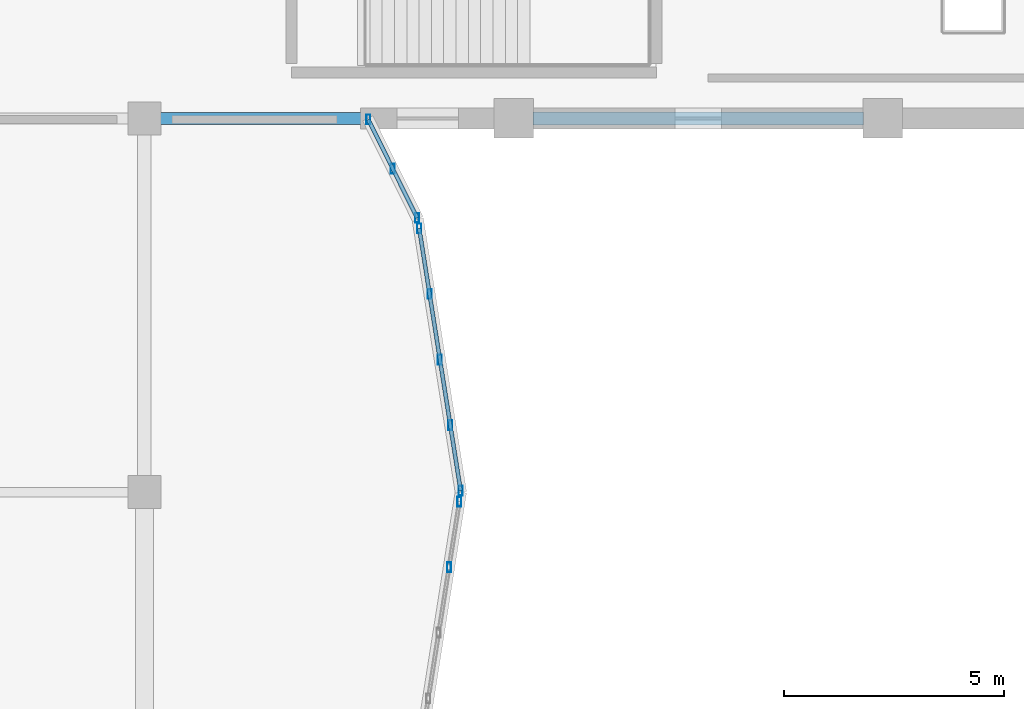
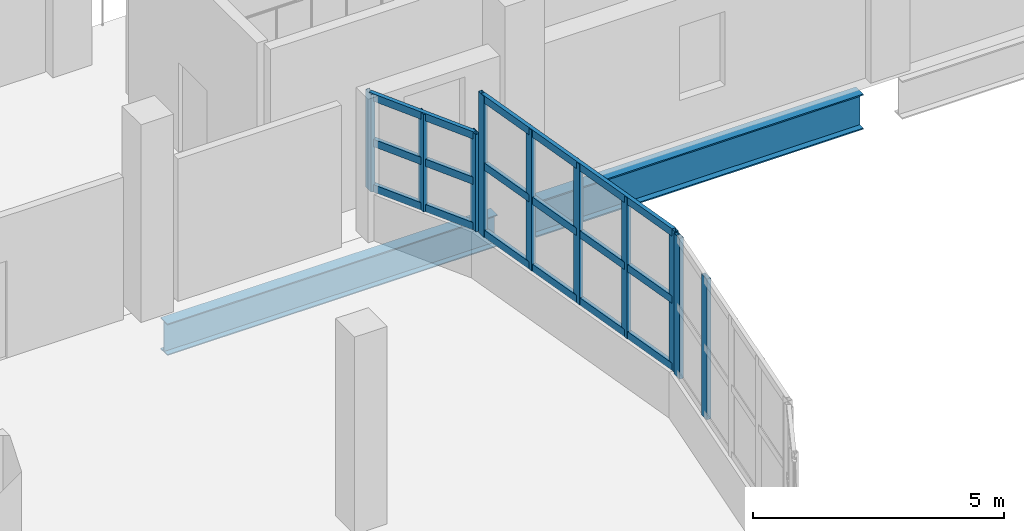
# One storey, part 22 of 77: 16 members, 2 beams, 3 elements without a shape of their own.
"""IFC4 building model written with IfcOpenShell, lengths in metres."""

from ifc_helpers import new_model, si_unit, direction, frame, origin, origin_2d, place, context, subcontext, project, spatial, hollow_rectangle, i_section, extrude, material, material_profile, profile_set, type_object, element, aggregate, save


model = new_model("IFC4")

# Units and contexts
model_context = context("Model", 3, precision=1e-05, world=origin(), true_north=direction((0.0, 1.0)))
body_context = subcontext(model_context, "Body", "Model", "MODEL_VIEW")
ifc_project = project(units=[si_unit("LENGTHUNIT", "METRE"), si_unit("AREAUNIT", "SQUARE_METRE"), si_unit("VOLUMEUNIT", "CUBIC_METRE"), si_unit("PLANEANGLEUNIT", "RADIAN"), si_unit("MASSUNIT", "GRAM", prefix="KILO")], contexts=[model_context])

# Site, building, storey
site_placement = place(None, origin())
site = spatial("IfcSite", under=ifc_project, at=site_placement, CompositionType="ELEMENT")
building_placement = place(site_placement, origin())
building = spatial("IfcBuilding", under=site, at=building_placement, Name="Solvento Point Concert Hall", CompositionType="ELEMENT")
storey_placement = place(building_placement, frame((0.0, 0.0, 10.199951171875)))
storey = spatial("IfcBuildingStorey", under=building, at=storey_placement, Name="L02", CompositionType="ELEMENT", Elevation=10.199951171875)

# Beams
ifc_material_1 = material(Name="Structural Steel ASTM A992 Grade 50", Category="steel")
ifc_material_profile_1 = material_profile(ifc_material_1, i_section(OverallWidth=0.26806640625, OverallDepth=0.77001953125, WebThickness=0.015625, FlangeThickness=0.025390625, at=origin_2d()), Name="W30X132")
ifc_profile_set_1 = profile_set([ifc_material_profile_1], Name="Structural Steel ASTM A992 Grade 50")
beam_type_1 = type_object("IfcBeamType", Name="Girder_W30X132", PredefinedType="USERDEFINED", material=ifc_profile_set_1)
beam_1_placement = place(storey_placement, frame((83.1689453125, 42.5, -0.828857421875), z_axis=(1.0, 0.0, 0.0), x_axis=(0.0, 1.0, 0.0)))
element("IfcBeam", 1, at=beam_1_placement, inside=storey, type_object=beam_type_1, Name="Primary girder B-68 L02", ObjectType="GIRDER", PredefinedType="USERDEFINED", context=body_context, shape_type="SweptSolid", body=[
    extrude(i_section(OverallWidth=0.26806640625, OverallDepth=0.77001953125, WebThickness=0.015625, FlangeThickness=0.025390625, at=origin_2d()), origin(), (0.0, 0.0, 1.0), 7.587158203125),
])
ifc_material_2 = material(Name="Structural Steel ASTM A992 Grade 50", Category="steel")
ifc_material_profile_2 = material_profile(ifc_material_2, i_section(OverallWidth=0.2919921875, OverallDepth=0.85888671875, WebThickness=0.01708984375, FlangeThickness=0.031005859375, at=origin_2d()), Name="W33X169")
ifc_profile_set_2 = profile_set([ifc_material_profile_2], Name="Structural Steel ASTM A992 Grade 50")
beam_type_2 = type_object("IfcBeamType", Name="Girder_W33X169", PredefinedType="USERDEFINED", material=ifc_profile_set_2)
beam_2_placement = place(storey_placement, frame((91.64404296875, 42.5, -0.87353515625), z_axis=(1.0, 0.0, 0.0), x_axis=(0.0, 1.0, 0.0)))
element("IfcBeam", 2, at=beam_2_placement, inside=storey, type_object=beam_type_2, Name="Primary girder B-33 L02", ObjectType="GIRDER", PredefinedType="USERDEFINED", context=body_context, shape_type="SweptSolid", body=[
    extrude(i_section(OverallWidth=0.2919921875, OverallDepth=0.85888671875, WebThickness=0.01708984375, FlangeThickness=0.031005859375, at=origin_2d()), origin(), (0.0, 0.0, 1.0), 7.511962890625),
])

# Curtain wall, members
ifc_material_3 = material(Name="Anodized Bronze Aluminium", Category="aluminium")
curtain_wall_type = type_object("IfcCurtainWallType", Name="CurtainWall_RingRibbon_L01_02", PredefinedType="USERDEFINED", material=ifc_material_3)
curtain_wall_1_placement = place(storey_placement, origin())
curtain_wall_1 = element("IfcCurtainWall", 3, at=curtain_wall_1_placement, inside=storey, type_object=curtain_wall_type, Name="Unitised curtain wall CW-59 UCW-L02-178", ObjectType="UNITISED CURTAIN WALL", PredefinedType="USERDEFINED")
ifc_material_4 = material(Name="Anodized Bronze Aluminium", Category="aluminium")
ifc_material_profile_3 = material_profile(ifc_material_4, hollow_rectangle(XDim=0.090087890625, YDim=0.219970703125, WallThickness=0.00439453125, at=origin_2d()), Name="CW-MUL-90X220")
ifc_profile_set_3 = profile_set([ifc_material_profile_3], Name="Anodized Bronze Aluminium")
member_type_1 = type_object("IfcMemberType", Name="Mullion_90x220", PredefinedType="MULLION", material=ifc_profile_set_3)
member_1_placement = place(storey_placement, frame((87.894775390625, 42.47314453125, 1.1201171875), z_axis=(0.0, 0.0, 1.0), x_axis=(1.0, 0.0, 0.0)))
member_1 = element("IfcMember", 4, at=member_1_placement, type_object=member_type_1, Name="Curtain wall mullion ML-02", PredefinedType="MULLION", context=body_context, shape_type="SweptSolid", body=[
    extrude(hollow_rectangle(XDim=0.090087890625, YDim=0.219970703125, WallThickness=0.00439453125, at=origin_2d()), origin(), (0.0, 0.0, 1.0), 2.364990234375),
])
member_2_placement = place(storey_placement, frame((88.449951171875, 41.35595703125, 1.1201171875), z_axis=(0.0, 0.0, 1.0), x_axis=(1.0, 0.0, 0.0)))
member_2 = element("IfcMember", 5, at=member_2_placement, type_object=member_type_1, Name="Curtain wall mullion ML-02", PredefinedType="MULLION", context=body_context, shape_type="SweptSolid", body=[
    extrude(hollow_rectangle(XDim=0.090087890625, YDim=0.219970703125, WallThickness=0.00439453125, at=origin_2d()), origin(), (0.0, 0.0, 1.0), 2.364990234375),
])
member_3_placement = place(storey_placement, frame((89.00537109375, 40.238525390625, 1.1201171875), z_axis=(0.0, 0.0, 1.0), x_axis=(1.0, 0.0, 0.0)))
member_3 = element("IfcMember", 6, at=member_3_placement, type_object=member_type_1, Name="Curtain wall mullion ML-02", PredefinedType="MULLION", context=body_context, shape_type="SweptSolid", body=[
    extrude(hollow_rectangle(XDim=0.090087890625, YDim=0.219970703125, WallThickness=0.00439453125, at=origin_2d()), origin(), (0.0, 0.0, 1.0), 2.364990234375),
])

curtain_wall_2_placement = place(storey_placement, origin())
curtain_wall_2 = element("IfcCurtainWall", 7, at=curtain_wall_2_placement, inside=storey, type_object=curtain_wall_type, Name="Unitised curtain wall CW-59 UCW-L02-179", ObjectType="UNITISED CURTAIN WALL", PredefinedType="USERDEFINED")
member_4_placement = place(storey_placement, frame((89.052978515625, 39.994384765625, 1.1201171875), z_axis=(0.0, 0.0, 1.0), x_axis=(1.0, 0.0, 0.0)))
member_4 = element("IfcMember", 8, at=member_4_placement, type_object=member_type_1, Name="Curtain wall mullion ML-02", PredefinedType="MULLION", context=body_context, shape_type="SweptSolid", body=[
    extrude(hollow_rectangle(XDim=0.090087890625, YDim=0.219970703125, WallThickness=0.00439453125, at=origin_2d()), origin(), (0.0, 0.0, 1.0), 3.419921875),
])
member_5_placement = place(storey_placement, frame((89.28857421875, 38.503173828125, 1.1201171875), z_axis=(0.0, 0.0, 1.0), x_axis=(1.0, 0.0, 0.0)))
member_5 = element("IfcMember", 9, at=member_5_placement, type_object=member_type_1, Name="Curtain wall mullion ML-02", PredefinedType="MULLION", context=body_context, shape_type="SweptSolid", body=[
    extrude(hollow_rectangle(XDim=0.090087890625, YDim=0.219970703125, WallThickness=0.00439453125, at=origin_2d()), origin(), (0.0, 0.0, 1.0), 3.419921875),
])
member_6_placement = place(storey_placement, frame((89.524169921875, 37.011962890625, 1.1201171875), z_axis=(0.0, 0.0, 1.0), x_axis=(1.0, 0.0, 0.0)))
member_6 = element("IfcMember", 10, at=member_6_placement, type_object=member_type_1, Name="Curtain wall mullion ML-02", PredefinedType="MULLION", context=body_context, shape_type="SweptSolid", body=[
    extrude(hollow_rectangle(XDim=0.090087890625, YDim=0.219970703125, WallThickness=0.00439453125, at=origin_2d()), origin(), (0.0, 0.0, 1.0), 3.419921875),
])
member_7_placement = place(storey_placement, frame((89.759765625, 35.520751953125, 1.1201171875), z_axis=(0.0, 0.0, 1.0), x_axis=(1.0, 0.0, 0.0)))
member_7 = element("IfcMember", 11, at=member_7_placement, type_object=member_type_1, Name="Curtain wall mullion ML-02", PredefinedType="MULLION", context=body_context, shape_type="SweptSolid", body=[
    extrude(hollow_rectangle(XDim=0.090087890625, YDim=0.219970703125, WallThickness=0.00439453125, at=origin_2d()), origin(), (0.0, 0.0, 1.0), 3.419921875),
])
member_8_placement = place(storey_placement, frame((89.995361328125, 34.029541015625, 1.1201171875), z_axis=(0.0, 0.0, 1.0), x_axis=(1.0, 0.0, 0.0)))
member_8 = element("IfcMember", 12, at=member_8_placement, type_object=member_type_1, Name="Curtain wall mullion ML-02", PredefinedType="MULLION", context=body_context, shape_type="SweptSolid", body=[
    extrude(hollow_rectangle(XDim=0.090087890625, YDim=0.219970703125, WallThickness=0.00439453125, at=origin_2d()), origin(), (0.0, 0.0, 1.0), 3.419921875),
])

curtain_wall_3_placement = place(storey_placement, origin())
curtain_wall_3 = element("IfcCurtainWall", 13, at=curtain_wall_3_placement, inside=storey, type_object=curtain_wall_type, Name="Unitised curtain wall CW-59 UCW-L02-180", ObjectType="UNITISED CURTAIN WALL", PredefinedType="USERDEFINED")
member_9_placement = place(storey_placement, frame((89.9658203125, 33.78271484375, 1.1201171875), z_axis=(0.0, 0.0, 1.0), x_axis=(1.0, 0.0, 0.0)))
member_9 = element("IfcMember", 14, at=member_9_placement, type_object=member_type_1, Name="Curtain wall mullion ML-02", PredefinedType="MULLION", context=body_context, shape_type="SweptSolid", body=[
    extrude(hollow_rectangle(XDim=0.090087890625, YDim=0.219970703125, WallThickness=0.00439453125, at=origin_2d()), origin(), (0.0, 0.0, 1.0), 3.419921875),
])
member_10_placement = place(storey_placement, frame((89.72998046875, 32.29150390625, 1.1201171875), z_axis=(0.0, 0.0, 1.0), x_axis=(1.0, 0.0, 0.0)))
member_10 = element("IfcMember", 15, at=member_10_placement, type_object=member_type_1, Name="Curtain wall mullion ML-02", PredefinedType="MULLION", context=body_context, shape_type="SweptSolid", body=[
    extrude(hollow_rectangle(XDim=0.090087890625, YDim=0.219970703125, WallThickness=0.00439453125, at=origin_2d()), origin(), (0.0, 0.0, 1.0), 3.419921875),
])
aggregate(curtain_wall_3, [member_9, member_10])

# Member
ifc_material_5 = material(Name="Anodized Bronze Aluminium", Category="aluminium")
ifc_material_profile_4 = material_profile(ifc_material_5, hollow_rectangle(XDim=0.090087890625, YDim=0.179931640625, WallThickness=0.00439453125, at=origin_2d()), Name="CW-TRN-90X180")
ifc_profile_set_4 = profile_set([ifc_material_profile_4], Name="Anodized Bronze Aluminium")
member_type_2 = type_object("IfcMemberType", Name="Transom_90x180", PredefinedType="USERDEFINED", material=ifc_profile_set_4)
member_11_placement = place(storey_placement, frame((87.894775390625, 42.47314453125, 1.199951171875), z_axis=(0.445059889586, -0.895500806634, 0.0), x_axis=(0.895500806634, 0.445059889586, 0.0)))
member_11 = element("IfcMember", 16, at=member_11_placement, type_object=member_type_2, Name="Curtain wall transom TR-02", ObjectType="TRANSOM", PredefinedType="USERDEFINED", context=body_context, shape_type="SweptSolid", body=[
    extrude(hollow_rectangle(XDim=0.090087890625, YDim=0.179931640625, WallThickness=0.00439453125, at=origin_2d()), origin(), (0.0, 0.0, 1.0), 2.495361328125),
])

member_12_placement = place(storey_placement, frame((87.894775390625, 42.47314453125, 2.302490234375), z_axis=(0.445059889586, -0.895500806634, 0.0), x_axis=(0.895500806634, 0.445059889586, 0.0)))
member_12 = element("IfcMember", 17, at=member_12_placement, type_object=member_type_2, Name="Curtain wall transom TR-02", ObjectType="TRANSOM", PredefinedType="USERDEFINED", context=body_context, shape_type="SweptSolid", body=[
    extrude(hollow_rectangle(XDim=0.090087890625, YDim=0.179931640625, WallThickness=0.00439453125, at=origin_2d()), origin(), (0.0, 0.0, 1.0), 2.495361328125),
])

member_13_placement = place(storey_placement, frame((87.894775390625, 42.47314453125, 3.405029296875), z_axis=(0.445059889586, -0.895500806634, 0.0), x_axis=(0.895500806634, 0.445059889586, 0.0)))
member_13 = element("IfcMember", 18, at=member_13_placement, type_object=member_type_2, Name="Curtain wall transom TR-02", ObjectType="TRANSOM", PredefinedType="USERDEFINED", context=body_context, shape_type="SweptSolid", body=[
    extrude(hollow_rectangle(XDim=0.090087890625, YDim=0.179931640625, WallThickness=0.00439453125, at=origin_2d()), origin(), (0.0, 0.0, 1.0), 2.495361328125),
])

aggregate(curtain_wall_1, [member_1, member_2, member_3, member_11, member_12, member_13])

member_14_placement = place(storey_placement, frame((89.052978515625, 39.994384765625, 1.199951171875), z_axis=(0.15605391931, -0.987748537973, 0.0), x_axis=(0.987748537973, 0.15605391931, 0.0)))
member_14 = element("IfcMember", 19, at=member_14_placement, type_object=member_type_2, Name="Curtain wall transom TR-02", ObjectType="TRANSOM", PredefinedType="USERDEFINED", context=body_context, shape_type="SweptSolid", body=[
    extrude(hollow_rectangle(XDim=0.090087890625, YDim=0.179931640625, WallThickness=0.00439453125, at=origin_2d()), origin(), (0.0, 0.0, 1.0), 6.038818359375),
])

member_15_placement = place(storey_placement, frame((89.052978515625, 39.994384765625, 2.830078125), z_axis=(0.15605391931, -0.987748537973, 0.0), x_axis=(0.987748537973, 0.15605391931, 0.0)))
member_15 = element("IfcMember", 20, at=member_15_placement, type_object=member_type_2, Name="Curtain wall transom TR-02", ObjectType="TRANSOM", PredefinedType="USERDEFINED", context=body_context, shape_type="SweptSolid", body=[
    extrude(hollow_rectangle(XDim=0.090087890625, YDim=0.179931640625, WallThickness=0.00439453125, at=origin_2d()), origin(), (0.0, 0.0, 1.0), 6.038818359375),
])

member_16_placement = place(storey_placement, frame((89.052978515625, 39.994384765625, 4.4599609375), z_axis=(0.15605391931, -0.987748537973, 0.0), x_axis=(0.987748537973, 0.15605391931, 0.0)))
member_16 = element("IfcMember", 21, at=member_16_placement, type_object=member_type_2, Name="Curtain wall transom TR-02", ObjectType="TRANSOM", PredefinedType="USERDEFINED", context=body_context, shape_type="SweptSolid", body=[
    extrude(hollow_rectangle(XDim=0.090087890625, YDim=0.179931640625, WallThickness=0.00439453125, at=origin_2d()), origin(), (0.0, 0.0, 1.0), 6.038818359375),
])

aggregate(curtain_wall_2, [member_4, member_5, member_6, member_7, member_8, member_14, member_15, member_16])

save(model, "model.ifc")
